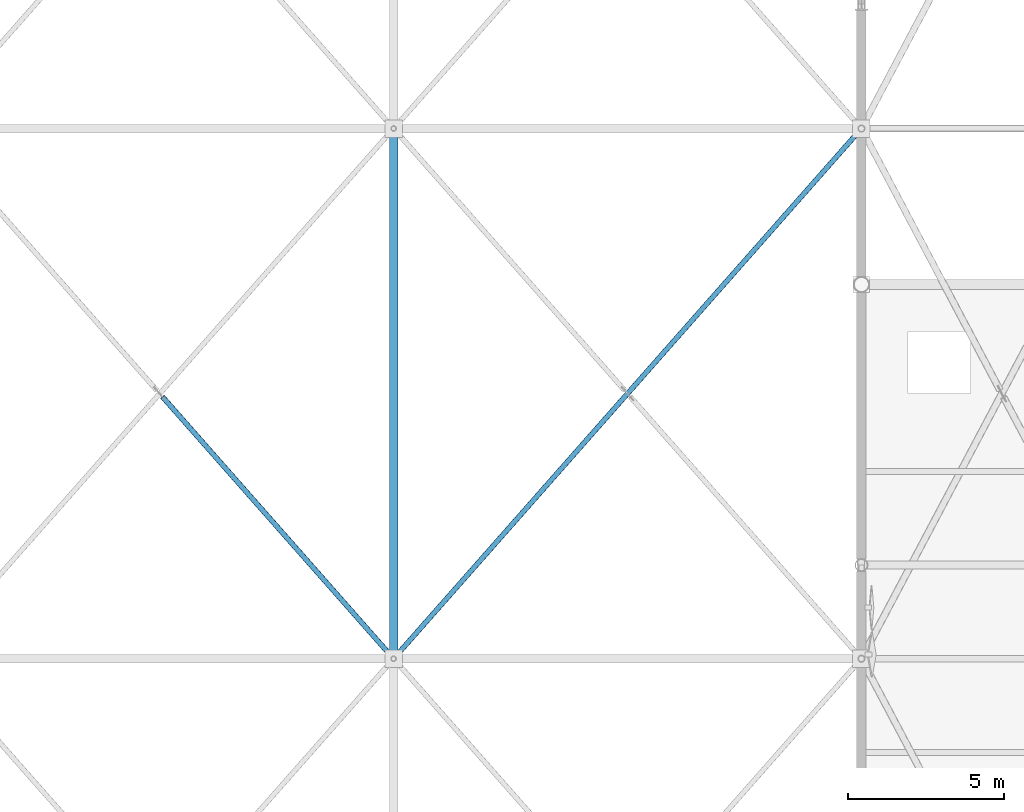
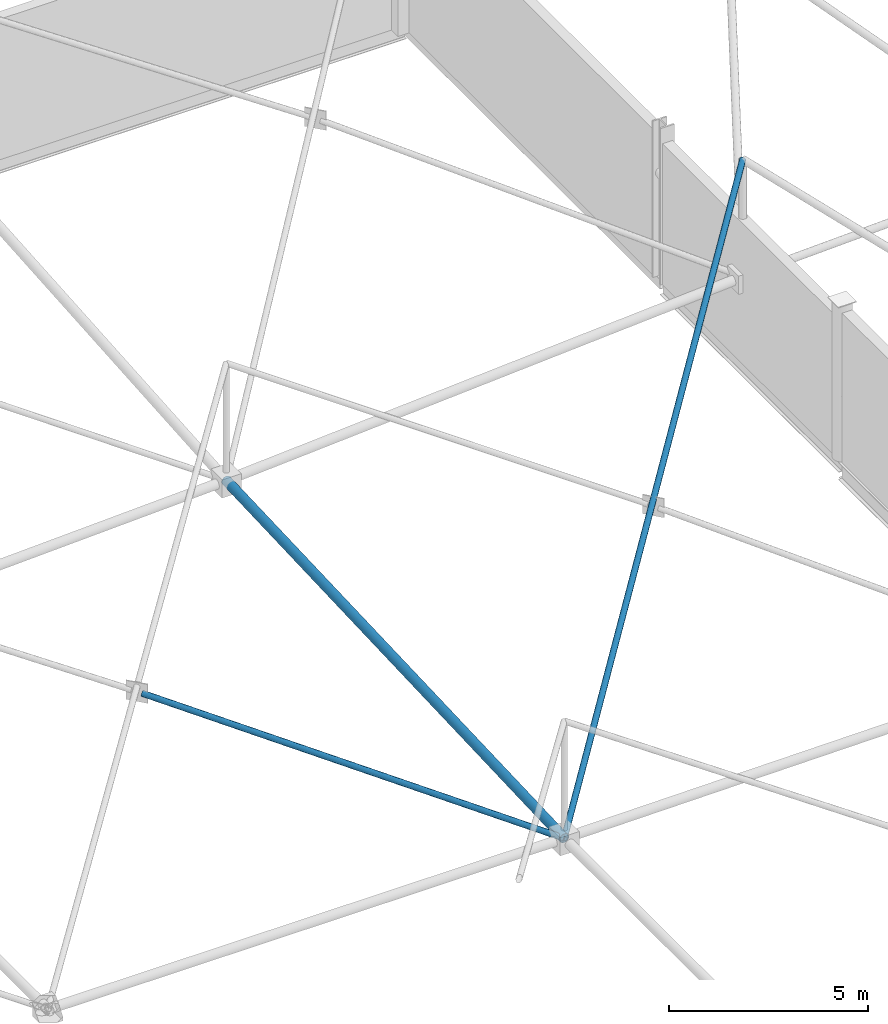
# One storey, part 106 of 224: 3 members.
"""IFC4 building model written with IfcOpenShell, lengths in metres."""

from ifc_helpers import new_model, si_unit, direction, frame, origin, origin_2d, place, context, subcontext, project, spatial, hollow_circle, extrude, material, material_profile, profile_set, type_object, element, save


model = new_model("IFC4")

# Units and contexts
model_context = context("Model", 3, precision=1e-05, world=origin(), true_north=direction((0.0, 1.0)))
body_context = subcontext(model_context, "Body", "Model", "MODEL_VIEW")
ifc_project = project(units=[si_unit("LENGTHUNIT", "METRE"), si_unit("AREAUNIT", "SQUARE_METRE"), si_unit("VOLUMEUNIT", "CUBIC_METRE"), si_unit("PLANEANGLEUNIT", "RADIAN"), si_unit("MASSUNIT", "GRAM", prefix="KILO")], contexts=[model_context])

# Site, building, storey
site_placement = place(None, origin())
site = spatial("IfcSite", under=ifc_project, at=site_placement, CompositionType="ELEMENT")
building_placement = place(site_placement, origin())
building = spatial("IfcBuilding", under=site, at=building_placement, Name="Qamarlyn Nura Convention Centre", CompositionType="ELEMENT")
storey_placement = place(building_placement, frame((0.0, 0.0, 10.800048828125)))
storey = spatial("IfcBuildingStorey", under=building, at=storey_placement, Name="L02", CompositionType="ELEMENT", Elevation=10.800048828125)

# Members
ifc_material = material(Name="Pearl-white PVDF steel ASTM A500 Grade C", Category="steel")
ifc_material_profile_1 = material_profile(ifc_material, hollow_circle(Radius=0.136474609375, WallThickness=0.012451171875, at=origin_2d()), Name="CHS273X12.5")
ifc_profile_set_1 = profile_set([ifc_material_profile_1], Name="Pearl-white PVDF steel ASTM A500 Grade C")
member_type_1 = type_object("IfcMemberType", Name="SF-BC-MAIN", PredefinedType="CHORD", material=ifc_profile_set_1)
member_1_placement = place(storey_placement, frame((105.0, 69.0, 0.80126953125), z_axis=(0.0, 0.999202837298, 0.039921046263), x_axis=(-1.0, 0.0, 0.0)))
element("IfcMember", 1, at=member_1_placement, inside=storey, type_object=member_type_1, Name="ROOF TRUSS space frame bottom chord Y9-5", PredefinedType="CHORD", context=body_context, shape_type="SweptSolid", body=[
    extrude(hollow_circle(Radius=0.136474609375, WallThickness=0.012451171875, at=origin_2d()), origin(), (0.0, 0.0, 1.0), 17.013671875),
])
ifc_material_profile_2 = material_profile(ifc_material, hollow_circle(Radius=0.084228515625, WallThickness=0.008056640625, at=origin_2d()), Name="CHS168.3X8")
ifc_profile_set_2 = profile_set([ifc_material_profile_2], Name="Pearl-white PVDF steel ASTM A500 Grade C")
member_type_2 = type_object("IfcMemberType", Name="SF-WEB-STD", PredefinedType="BRACE", material=ifc_profile_set_2)
member_2_placement = place(storey_placement, frame((105.0, 69.0, 0.80126953125), z_axis=(-0.651768805095, 0.738671312441, 0.171936374519), x_axis=(-0.749837855365, -0.661621637087, 0.0)))
element("IfcMember", 2, at=member_2_placement, inside=storey, type_object=member_type_2, Name="ROOF TRUSS space frame split diagonal B1 8-5", PredefinedType="BRACE", context=body_context, shape_type="SweptSolid", body=[
    extrude(hollow_circle(Radius=0.084228515625, WallThickness=0.008056640625, at=origin_2d()), origin(), (0.0, 0.0, 1.0), 11.36669921875),
])
member_3_placement = place(storey_placement, frame((105.0, 69.0, 0.80126953125), z_axis=(0.644361941876, 0.730276867459, 0.226921538678), x_axis=(-0.749837855365, 0.661621637087, 0.0)))
element("IfcMember", 3, at=member_3_placement, inside=storey, type_object=member_type_2, Name="ROOF TRUSS space frame diagonal A 9-5", PredefinedType="BRACE", context=body_context, shape_type="SweptSolid", body=[
    extrude(hollow_circle(Radius=0.084228515625, WallThickness=0.008056640625, at=origin_2d()), origin(), (0.0, 0.0, 1.0), 23.27880859375),
])

save(model, "model.ifc")
